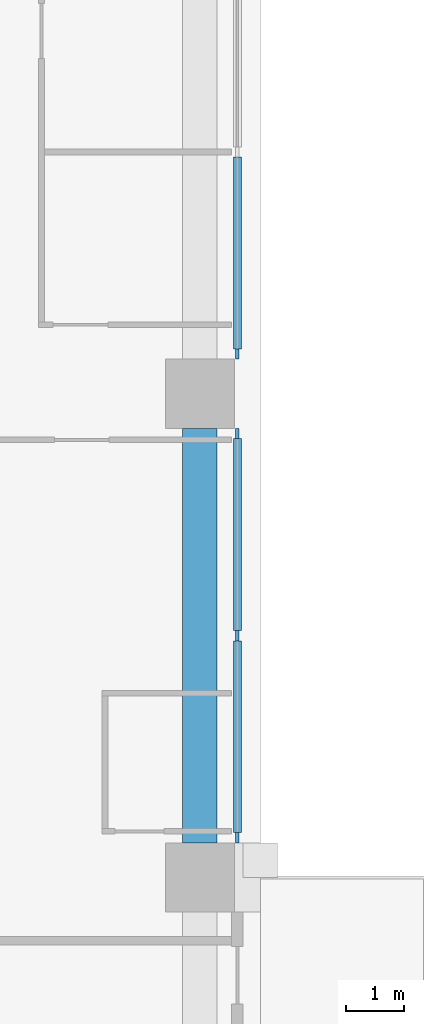
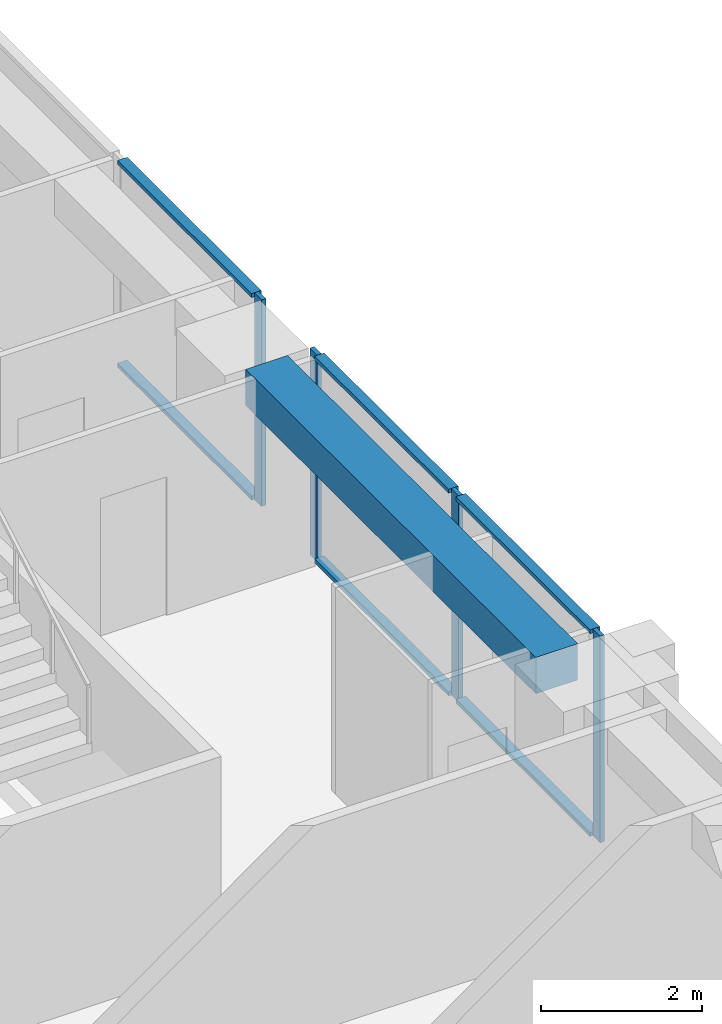
# One storey, part 4 of 18: 10 members, 1 beam, 2 elements without a shape of their own.
"""IFC4 building model written with IfcOpenShell, lengths in metres."""

from ifc_helpers import new_model, si_unit, direction, frame, origin, origin_2d, place, context, subcontext, project, spatial, rectangle, extrude, material, material_profile, profile_set, type_object, element, aggregate, save


model = new_model("IFC4")

# Units and contexts
model_context = context("Model", 3, precision=1e-05, world=origin(), true_north=direction((0.0, 1.0)))
body_context = subcontext(model_context, "Body", "Model", "MODEL_VIEW")
ifc_project = project(units=[si_unit("LENGTHUNIT", "METRE"), si_unit("AREAUNIT", "SQUARE_METRE"), si_unit("VOLUMEUNIT", "CUBIC_METRE"), si_unit("PLANEANGLEUNIT", "RADIAN"), si_unit("MASSUNIT", "GRAM", prefix="KILO")], contexts=[model_context])

# Site, building, storey
site_placement = place(None, origin())
site = spatial("IfcSite", under=ifc_project, at=site_placement, CompositionType="ELEMENT")
building_placement = place(site_placement, origin())
building = spatial("IfcBuilding", under=site, at=building_placement, Name="Vermilion Ogive Tower", CompositionType="ELEMENT")
storey_placement = place(building_placement, frame((0.0, 0.0, 94.199951171875)))
storey = spatial("IfcBuildingStorey", under=building, at=storey_placement, Name="L23", CompositionType="ELEMENT", Elevation=94.199951171875)

# Curtain wall, members
ifc_material_1 = material(Name="Low-iron laminated glazing in aluminium frame", Category="aluminium")
curtain_wall_type = type_object("IfcCurtainWallType", Name="Curtain wall CW7", PredefinedType="NOTDEFINED", material=ifc_material_1)
curtain_wall_1_placement = place(storey_placement, origin())
curtain_wall_1 = element("IfcCurtainWall", 1, at=curtain_wall_1_placement, inside=storey, type_object=curtain_wall_type, Name="Glazed skin E2", PredefinedType="NOTDEFINED")
ifc_material_2 = material(Name="Aluminium mullion", Category="aluminium")
ifc_material_profile_1 = material_profile(ifc_material_2, rectangle(XDim=0.06005859375, YDim=0.179931640625, at=origin_2d()), Name="AL 60x180")
ifc_profile_set_1 = profile_set([ifc_material_profile_1], Name="Aluminium mullion")
member_type_1 = type_object("IfcMemberType", Name="CW7 mullion 60x180", PredefinedType="MULLION", material=ifc_profile_set_1)
member_1_placement = place(storey_placement, frame((25.85009765625, -3.510009765625, 0.0), z_axis=(0.0, 0.0, 1.0), x_axis=(-1.0, 0.0, 0.0)))
member_1 = element("IfcMember", 2, at=member_1_placement, type_object=member_type_1, Name="CW7-E2 mullion 1", PredefinedType="MULLION", context=body_context, shape_type="SweptSolid", body=[
    extrude(rectangle(XDim=0.06005859375, YDim=0.179931640625, at=origin_2d()), origin(), (0.0, 0.0, 1.0), 3.130126953125),
])
member_2_placement = place(storey_placement, frame((25.85009765625, 0.0, 0.0), z_axis=(0.0, 0.0, 1.0), x_axis=(-1.0, 0.0, 0.0)))
member_2 = element("IfcMember", 3, at=member_2_placement, type_object=member_type_1, Name="CW7-E2 mullion 2", PredefinedType="MULLION", context=body_context, shape_type="SweptSolid", body=[
    extrude(rectangle(XDim=0.06005859375, YDim=0.179931640625, at=origin_2d()), origin(), (0.0, 0.0, 1.0), 3.130126953125),
])
member_3_placement = place(storey_placement, frame((25.85009765625, 3.510009765625, 0.0), z_axis=(0.0, 0.0, 1.0), x_axis=(-1.0, 0.0, 0.0)))
member_3 = element("IfcMember", 4, at=member_3_placement, type_object=member_type_1, Name="CW7-E2 mullion 3", PredefinedType="MULLION", context=body_context, shape_type="SweptSolid", body=[
    extrude(rectangle(XDim=0.06005859375, YDim=0.179931640625, at=origin_2d()), origin(), (0.0, 0.0, 1.0), 3.130126953125),
])

# Curtain wall, member
curtain_wall_2_placement = place(storey_placement, origin())
curtain_wall_2 = element("IfcCurtainWall", 5, at=curtain_wall_2_placement, inside=storey, type_object=curtain_wall_type, Name="Glazed skin E3", PredefinedType="NOTDEFINED")
member_4_placement = place(storey_placement, frame((25.85009765625, 4.889892578125, 0.0), z_axis=(0.0, 0.0, 1.0), x_axis=(-1.0, 0.0, 0.0)))
member_4 = element("IfcMember", 6, at=member_4_placement, type_object=member_type_1, Name="CW7-E3 mullion 1", PredefinedType="MULLION", context=body_context, shape_type="SweptSolid", body=[
    extrude(rectangle(XDim=0.06005859375, YDim=0.179931640625, at=origin_2d()), origin(), (0.0, 0.0, 1.0), 3.130126953125),
])

# Member
ifc_material_3 = material(Name="Aluminium transom", Category="aluminium")
ifc_material_profile_2 = material_profile(ifc_material_3, rectangle(XDim=0.139892578125, YDim=0.06005859375, at=origin_2d()), Name="AL 60x140")
ifc_profile_set_2 = profile_set([ifc_material_profile_2], Name="Aluminium transom")
member_type_2 = type_object("IfcMemberType", Name="CW7 transom 60x140", PredefinedType="USERDEFINED", material=ifc_profile_set_2)
member_5_placement = place(storey_placement, frame((25.85009765625, -3.419921875, 0.030029296875), z_axis=(0.0, 1.0, 0.0), x_axis=(-1.0, 0.0, 0.0)))
member_5 = element("IfcMember", 7, at=member_5_placement, type_object=member_type_2, Name="CW7-E2 transom 1.1", ObjectType="TRANSOM", PredefinedType="USERDEFINED", context=body_context, shape_type="SweptSolid", body=[
    extrude(rectangle(XDim=0.139892578125, YDim=0.06005859375, at=origin_2d()), origin(), (0.0, 0.0, 1.0), 3.329833984375),
])

member_6_placement = place(storey_placement, frame((25.85009765625, -3.419921875, 3.10009765625), z_axis=(0.0, 1.0, 0.0), x_axis=(-1.0, 0.0, 0.0)))
member_6 = element("IfcMember", 8, at=member_6_placement, type_object=member_type_2, Name="CW7-E2 transom 1.2", ObjectType="TRANSOM", PredefinedType="USERDEFINED", context=body_context, shape_type="SweptSolid", body=[
    extrude(rectangle(XDim=0.139892578125, YDim=0.06005859375, at=origin_2d()), origin(), (0.0, 0.0, 1.0), 3.329833984375),
])

member_7_placement = place(storey_placement, frame((25.85009765625, 0.090087890625, 0.030029296875), z_axis=(0.0, 1.0, 0.0), x_axis=(-1.0, 0.0, 0.0)))
member_7 = element("IfcMember", 9, at=member_7_placement, type_object=member_type_2, Name="CW7-E2 transom 2.1", ObjectType="TRANSOM", PredefinedType="USERDEFINED", context=body_context, shape_type="SweptSolid", body=[
    extrude(rectangle(XDim=0.139892578125, YDim=0.06005859375, at=origin_2d()), origin(), (0.0, 0.0, 1.0), 3.329833984375),
])

member_8_placement = place(storey_placement, frame((25.85009765625, 0.090087890625, 3.10009765625), z_axis=(0.0, 1.0, 0.0), x_axis=(-1.0, 0.0, 0.0)))
member_8 = element("IfcMember", 10, at=member_8_placement, type_object=member_type_2, Name="CW7-E2 transom 2.2", ObjectType="TRANSOM", PredefinedType="USERDEFINED", context=body_context, shape_type="SweptSolid", body=[
    extrude(rectangle(XDim=0.139892578125, YDim=0.06005859375, at=origin_2d()), origin(), (0.0, 0.0, 1.0), 3.329833984375),
])

aggregate(curtain_wall_1, [member_1, member_2, member_3, member_5, member_6, member_7, member_8])

member_9_placement = place(storey_placement, frame((25.85009765625, 4.97998046875, 0.030029296875), z_axis=(0.0, 1.0, 0.0), x_axis=(-1.0, 0.0, 0.0)))
member_9 = element("IfcMember", 11, at=member_9_placement, type_object=member_type_2, Name="CW7-E3 transom 1.1", ObjectType="TRANSOM", PredefinedType="USERDEFINED", context=body_context, shape_type="SweptSolid", body=[
    extrude(rectangle(XDim=0.139892578125, YDim=0.06005859375, at=origin_2d()), origin(), (0.0, 0.0, 1.0), 3.330078125),
])

member_10_placement = place(storey_placement, frame((25.85009765625, 4.97998046875, 3.10009765625), z_axis=(0.0, 1.0, 0.0), x_axis=(-1.0, 0.0, 0.0)))
member_10 = element("IfcMember", 12, at=member_10_placement, type_object=member_type_2, Name="CW7-E3 transom 1.2", ObjectType="TRANSOM", PredefinedType="USERDEFINED", context=body_context, shape_type="SweptSolid", body=[
    extrude(rectangle(XDim=0.139892578125, YDim=0.06005859375, at=origin_2d()), origin(), (0.0, 0.0, 1.0), 3.330078125),
])

aggregate(curtain_wall_2, [member_4, member_9, member_10])

# Beam
ifc_material_4 = material(Name="Concrete B45", Category="concrete")
ifc_material_profile_3 = material_profile(ifc_material_4, rectangle(XDim=0.60009765625, YDim=0.550048828125, at=origin_2d()), Name="600 x 550")
ifc_profile_set_3 = profile_set([ifc_material_profile_3], Name="Concrete B45")
beam_type = type_object("IfcBeamType", Name="Edge beam 600 x 550 B45", PredefinedType="BEAM", material=ifc_profile_set_3)
beam_placement = place(storey_placement, frame((25.199951171875, -3.60009765625, 2.85498046875), z_axis=(0.0, 1.0, 0.0), x_axis=(-1.0, 0.0, 0.0)))
element("IfcBeam", 13, at=beam_placement, inside=storey, type_object=beam_type, Name="L23-EB-8", PredefinedType="BEAM", context=body_context, shape_type="SweptSolid", body=[
    extrude(rectangle(XDim=0.60009765625, YDim=0.550048828125, at=origin_2d()), origin(), (0.0, 0.0, 1.0), 7.2001953125),
])

save(model, "model.ifc")
